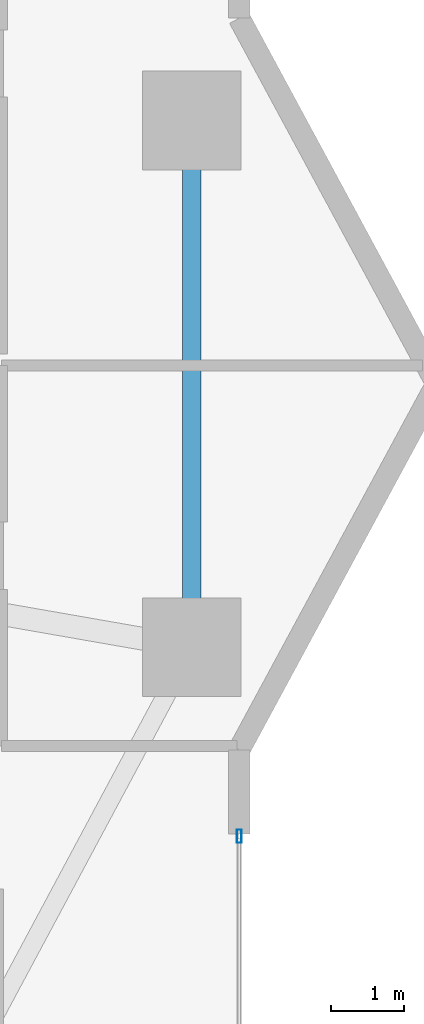
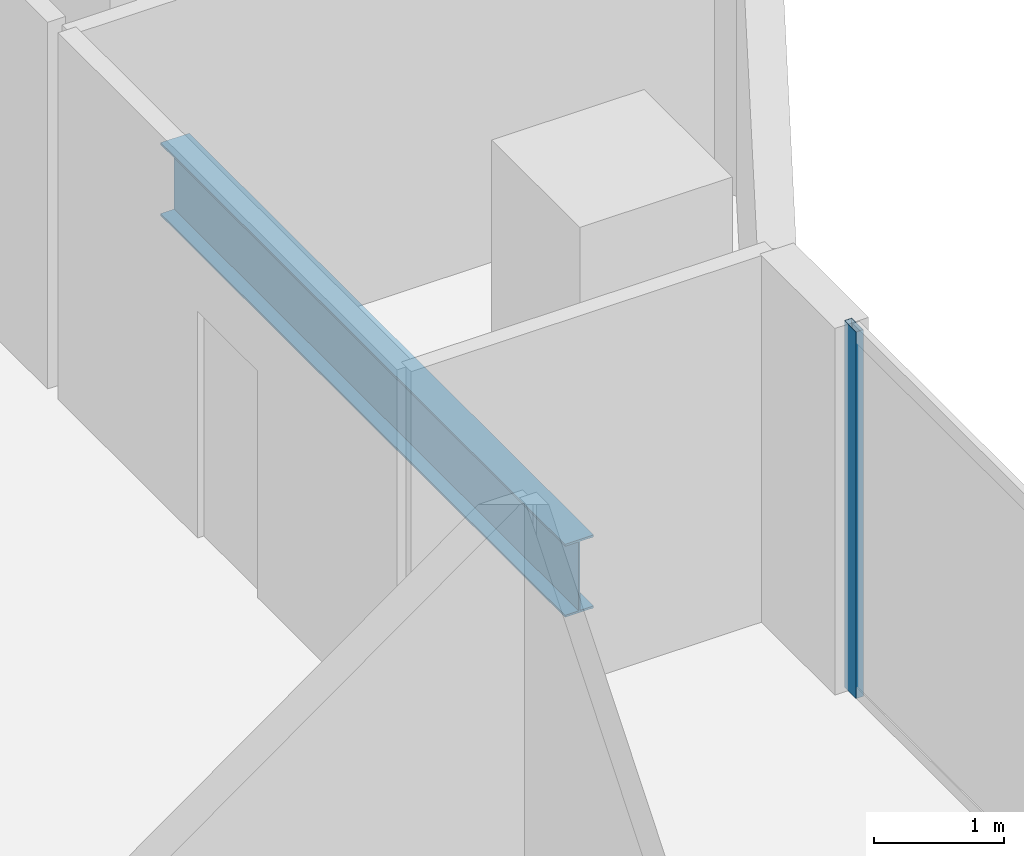
# One storey, part 13 of 28: 1 beam, 1 member, 1 element without a shape of its own.
"""IFC4 building model written with IfcOpenShell, lengths in metres."""

from ifc_helpers import new_model, si_unit, direction, frame, origin, origin_2d, place, context, subcontext, project, spatial, hollow_rectangle, i_section, extrude, material, layer, layer_set, material_profile, profile_set, type_object, element, aggregate, save


model = new_model("IFC4")

# Units and contexts
model_context = context("Model", 3, precision=1e-05, world=origin(), true_north=direction((0.0, 1.0)))
body_context = subcontext(model_context, "Body", "Model", "MODEL_VIEW")
ifc_project = project(units=[si_unit("LENGTHUNIT", "METRE"), si_unit("AREAUNIT", "SQUARE_METRE"), si_unit("VOLUMEUNIT", "CUBIC_METRE"), si_unit("PLANEANGLEUNIT", "RADIAN"), si_unit("MASSUNIT", "GRAM", prefix="KILO")], contexts=[model_context])

# Site, building, storey
site_placement = place(None, origin())
site = spatial("IfcSite", under=ifc_project, at=site_placement, CompositionType="ELEMENT")
building_placement = place(site_placement, origin())
building = spatial("IfcBuilding", under=site, at=building_placement, Name="Zuhayl Quay Hotel", CompositionType="ELEMENT")
storey_placement = place(building_placement, frame((0.0, 0.0, 139.449951171875)))
storey = spatial("IfcBuildingStorey", under=building, at=storey_placement, Name="L35", CompositionType="ELEMENT", Elevation=139.449951171875)

# Beam
ifc_material_1 = material(Name="Steel ASTM A992 Grade 50", Category="steel")
ifc_material_profile_1 = material_profile(ifc_material_1, i_section(OverallWidth=0.25390625, OverallDepth=0.68310546875, WebThickness=0.012451171875, FlangeThickness=0.018798828125, at=origin_2d()), Name="W27X94")
ifc_profile_set_1 = profile_set([ifc_material_profile_1], Name="Steel ASTM A992 Grade 50")
beam_type = type_object("IfcBeamType", Name="BM_B2_W27X94", PredefinedType="BEAM", material=ifc_profile_set_1)
beam_placement = place(storey_placement, frame((23.25, 3.39990234375, -0.5615234375), z_axis=(0.0, 1.0, 0.0), x_axis=(-1.0, 0.0, 0.0)))
element("IfcBeam", 1, at=beam_placement, inside=storey, type_object=beam_type, Name="L35 Floor Beam RG_L35_05", PredefinedType="BEAM", context=body_context, shape_type="SweptSolid", body=[
    extrude(i_section(OverallWidth=0.25390625, OverallDepth=0.68310546875, WebThickness=0.012451171875, FlangeThickness=0.018798828125, at=origin_2d()), origin(), (0.0, 0.0, 1.0), 6.2001953125),
])

# Curtain wall, member
ifc_material_2 = material(Name="Anodised Aluminium 6063-T6", Category="aluminium")
ifc_layer = layer(ifc_material_2, 0.179931640625, Name="Anodised Aluminium 6063-T6", Category="aluminium")
ifc_layer_set = layer_set([ifc_layer], Name="Anodised Aluminium 6063-T6")
curtain_wall_type = type_object("IfcCurtainWallType", Name="CW_SYS_Z2", PredefinedType="USERDEFINED", material=ifc_layer_set)
curtain_wall_placement = place(storey_placement, origin())
curtain_wall = element("IfcCurtainWall", 2, at=curtain_wall_placement, inside=storey, type_object=curtain_wall_type, Name="L35 Curtain Wall ENV_L35_E14_CW1", ObjectType="UNITISED CURTAIN WALL", PredefinedType="USERDEFINED")
ifc_material_3 = material(Name="Black-anodised aluminium 6063-T6", Category="aluminium")
ifc_material_profile_2 = material_profile(ifc_material_3, hollow_rectangle(XDim=0.06494140625, YDim=0.179931640625, WallThickness=0.00341796875, at=origin_2d()), Name="ALU180X65")
ifc_profile_set_2 = profile_set([ifc_material_profile_2], Name="Black-anodised aluminium 6063-T6")
member_type = type_object("IfcMemberType", Name="MB_CW_MUL_180", PredefinedType="MULLION", material=ifc_profile_set_2)
member_placement = place(storey_placement, frame((23.89990234375, 0.3173828125, 0.0), z_axis=(0.0, 0.0, 1.0), x_axis=(1.0, 0.0, 0.0)))
member = element("IfcMember", 3, at=member_placement, type_object=member_type, Name="CW-Z2 mullion 1", PredefinedType="MULLION", context=body_context, shape_type="SweptSolid", body=[
    extrude(hollow_rectangle(XDim=0.06494140625, YDim=0.179931640625, WallThickness=0.00341796875, at=origin_2d()), origin(), (0.0, 0.0, 1.0), 3.429931640625),
])
aggregate(curtain_wall, [member])

save(model, "model.ifc")
